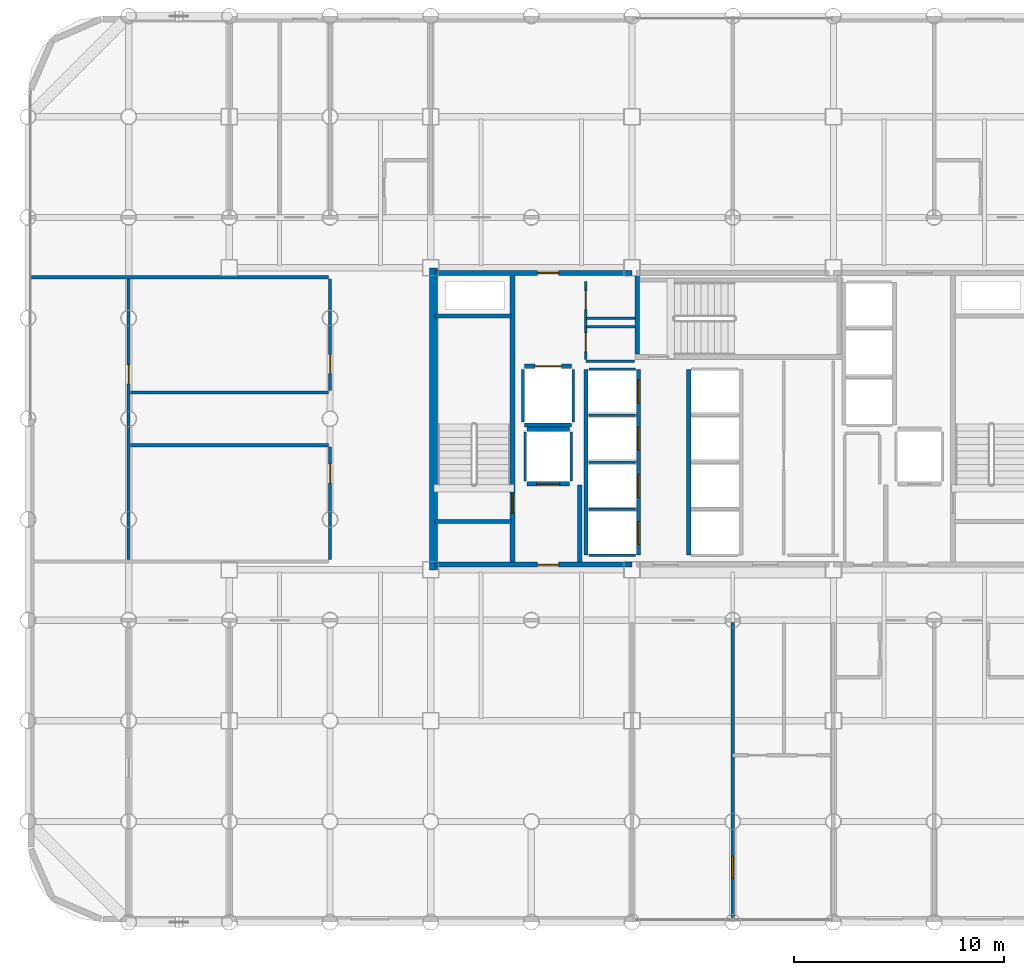
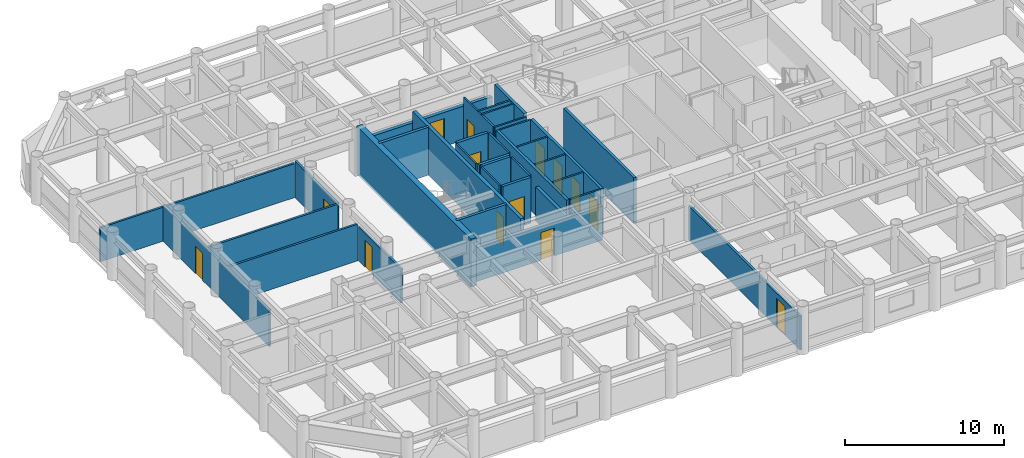
# One storey, part 16 of 21: 35 walls, 15 doors, 15 openings.
"""IFC4 building model written with IfcOpenShell, lengths in metres."""

from ifc_helpers import new_model, si_unit, direction, frame, frame_2d, origin, place, context, subcontext, project, spatial, rectangle, extrude, material, layer, layer_set, type_object, element, fill, save


model = new_model("IFC4")

# Units and contexts
model_context = context("Model", 3, precision=1e-05, world=origin(), true_north=direction((0.0, 1.0)))
body_context = subcontext(model_context, "Body", "Model", "MODEL_VIEW")
ifc_project = project(units=[si_unit("LENGTHUNIT", "METRE"), si_unit("AREAUNIT", "SQUARE_METRE"), si_unit("VOLUMEUNIT", "CUBIC_METRE"), si_unit("PLANEANGLEUNIT", "RADIAN"), si_unit("MASSUNIT", "GRAM", prefix="KILO")], contexts=[model_context])

# Site, building, storey
site_placement = place(None, origin())
site = spatial("IfcSite", under=ifc_project, at=site_placement, CompositionType="ELEMENT")
building_placement = place(site_placement, origin())
building = spatial("IfcBuilding", under=site, at=building_placement, Name="Kallvorn Hotel Tower", CompositionType="ELEMENT")
storey_placement = place(building_placement, frame((0.0, 0.0, 44.800048828125)))
storey = spatial("IfcBuildingStorey", under=building, at=storey_placement, Name="L09", CompositionType="ELEMENT", Elevation=44.800048828125)

# Wall
ifc_material_1 = material(Name="Concrete C50/60", Category="concrete")
ifc_layer_1 = layer(ifc_material_1, 0.39990234375)
ifc_layer_set_1 = layer_set([ifc_layer_1], Name="WL_CORE_400")
wall_type_1 = type_object("IfcWallType", Name="WL_CORE_400", PredefinedType="SHEAR", material=ifc_layer_set_1)
wall_1_placement = place(storey_placement, frame((-14.264892578125, -7.199951171875, -0.179931640625), z_axis=(0.0, 0.0, 1.0), x_axis=(0.0, 1.0, 0.0)))
element("IfcWall", 1, at=wall_1_placement, inside=storey, type_object=wall_type_1, Name="L09 Core West Shear Wall", PredefinedType="SHEAR", context=body_context, shape_type="SweptSolid", body=[
    extrude(rectangle(XDim=14.39990234375, YDim=0.39990234375, at=frame_2d((7.199951171875, 0.0))), origin(), (0.0, 0.0, 1.0), 3.699951171875),
])

# Wall, opening, door
ifc_material_2 = material(Name="Fire-rated double-layer acoustic gypsum drywall EI 60")
ifc_layer_2 = layer(ifc_material_2, 0.159912109375)
ifc_layer_set_2 = layer_set([ifc_layer_2], Name="WL_DEMISE_160")
wall_type_2 = type_object("IfcWallType", Name="WL_DEMISE_160", PredefinedType="PARTITIONING", material=ifc_layer_set_2)
wall_2_placement = place(storey_placement, frame((0.0, -23.794921875, 0.0), z_axis=(0.0, 0.0, 1.0), x_axis=(0.0, 1.0, 0.0)))
wall_2 = element("IfcWall", 2, at=wall_2_placement, inside=storey, type_object=wall_type_2, Name="L09 Suite 903 Executive Bedroom Partition", PredefinedType="PARTITIONING", context=body_context, shape_type="SweptSolid", body=[
    extrude(rectangle(XDim=14.074951171875, YDim=0.159912109375, at=frame_2d((7.03759765625, 0.0))), origin(), (0.0, 0.0, 1.0), 2.619873046875),
])
opening_1_placement = place(wall_2_placement, frame((1.88818359375, 0.0, 0.0)))
opening_1 = element("IfcOpeningElement", 3, at=opening_1_placement, cuts=wall_2, Name="Opening GD2", PredefinedType="OPENING", context=body_context, shape_type="SweptSolid", body=[
    extrude(rectangle(XDim=1.050048828125, YDim=2.199951171875, at=frame_2d((0.52490234375, 1.10009765625))), frame((0.0, 0.094970703125, 0.0), z_axis=(0.0, -1.0, 0.0), x_axis=(1.0, 0.0, 0.0)), (0.0, 0.0, 1.0), 0.18994140625),
])
ifc_material_3 = material(Name="Solid-core walnut veneer fire-rated timber door leaf", Category="wood")
door_type_1 = type_object("IfcDoorType", Name="DR_SUITE_1050x2200", OperationType="NOTDEFINED", PredefinedType="DOOR", material=ifc_material_3)
door_1_placement = place(opening_1_placement, origin())
door_1 = element("IfcDoor", 4, at=door_1_placement, inside=storey, type_object=door_type_1, Name="L09 Suite 903 Executive Bedroom Door", OperationType="SINGLE_SWING_LEFT", OverallHeight=2.199951171875, OverallWidth=1.050048828125, PredefinedType="DOOR", context=body_context, shape_type="SweptSolid", body=[
    extrude(rectangle(XDim=1.050048828125, YDim=2.199951171875, at=frame_2d((0.52490234375, 1.10009765625))), frame((0.0, 0.02490234375, 0.0), z_axis=(0.0, -1.0, 0.0), x_axis=(1.0, 0.0, 0.0)), (0.0, 0.0, 1.0), 0.050048828125),
])
fill(opening_1, door_1)

# Walls
ifc_material_4 = material(Name="Concrete C40/50", Category="concrete")
ifc_layer_3 = layer(ifc_material_4, 0.219970703125)
ifc_layer_set_3 = layer_set([ifc_layer_3], Name="WL_FFL_220")
wall_type_3 = type_object("IfcWallType", Name="WL_FFL_220", PredefinedType="SOLIDWALL", material=ifc_layer_set_3)
wall_3_placement = place(storey_placement, frame((-7.300048828125, -6.820068359375, 0.0), z_axis=(0.0, 0.0, 1.0), x_axis=(0.0, 1.0, 0.0)))
element("IfcWall", 5, at=wall_3_placement, inside=storey, type_object=wall_type_3, Name="L09 Firefighting Lobby West Divider Wall", PredefinedType="SOLIDWALL", context=body_context, shape_type="SweptSolid", body=[
    extrude(rectangle(XDim=3.670166015625, YDim=0.219970703125, at=frame_2d((1.8349609375, 0.0))), origin(), (0.0, 0.0, 1.0), 2.619873046875),
])
ifc_material_5 = material(Name="Concrete C40/50", Category="concrete")
ifc_layer_4 = layer(ifc_material_5, 0.199951171875)
ifc_layer_set_4 = layer_set([ifc_layer_4], Name="WL_HOIST_200")
wall_type_4 = type_object("IfcWallType", Name="WL_HOIST_200", PredefinedType="SOLIDWALL", material=ifc_layer_set_4)
for number, where, z_axis, x_axis, name in (
    (6, (-14.199951171875, -4.89990234375, -0.179931640625), (0.0, 0.0, 1.0), (1.0, 0.0, 0.0), "L09 Stair ST1 South Wall"),
    (7, (-14.199951171875, 4.89990234375, -0.179931640625), (0.0, 0.0, 1.0), (1.0, 0.0, 0.0), "L09 Stair ST1 North Wall"),
):
    element("IfcWall", number, at=place(storey_placement, frame(where, z_axis=z_axis, x_axis=x_axis)), inside=storey, type_object=wall_type_4, Name=name, PredefinedType="SOLIDWALL", context=body_context, shape_type="SweptSolid", body=[
        extrude(rectangle(XDim=3.64990234375, YDim=0.199951171875, at=frame_2d((1.824951171875, 0.0))), origin(), (0.0, 0.0, 1.0), 3.699951171875),
    ])
wall_4_placement = place(storey_placement, frame((-4.550048828125, 3.080078125, -0.179931640625), z_axis=(0.0, 0.0, 1.0), x_axis=(0.0, 1.0, 0.0)))
element("IfcWall", 8, at=wall_4_placement, inside=storey, type_object=wall_type_4, Name="L09 Stair ST3 West Wall", PredefinedType="SOLIDWALL", context=body_context, shape_type="SweptSolid", body=[
    extrude(rectangle(XDim=3.739990234375, YDim=0.199951171875, at=frame_2d((1.8701171875, 0.0))), origin(), (0.0, 0.0, 1.0), 3.699951171875),
])

# Wall, openings, doors
wall_5_placement = place(storey_placement, frame((-4.5, -6.5, 0.0), z_axis=(0.0, 0.0, 1.0), x_axis=(0.0, 1.0, 0.0)))
wall_5 = element("IfcWall", 9, at=wall_5_placement, inside=storey, type_object=wall_type_4, Name="L09 Lift Bank B1 Landing Wall", PredefinedType="SOLIDWALL", context=body_context, shape_type="SweptSolid", body=[
    extrude(rectangle(XDim=8.85009765625, YDim=0.199951171875, at=frame_2d((4.425048828125, 0.0))), origin(), (0.0, 0.0, 1.0), 3.52001953125),
])
opening_2_placement = place(wall_5_placement, frame((0.5, 0.0, 0.0)))
opening_2 = element("IfcOpeningElement", 10, at=opening_2_placement, cuts=wall_5, Name="Opening LD-PL-01", PredefinedType="OPENING", context=body_context, shape_type="SweptSolid", body=[
    extrude(rectangle(XDim=1.10009765625, YDim=2.199951171875, at=frame_2d((0.550048828125, 1.10009765625))), frame((0.0, 0.114990234375, 0.0), z_axis=(0.0, -1.0, 0.0), x_axis=(1.0, 0.0, 0.0)), (0.0, 0.0, 1.0), 0.22998046875),
])
opening_3_placement = place(wall_5_placement, frame((2.75, 0.0, 0.0)))
opening_3 = element("IfcOpeningElement", 11, at=opening_3_placement, cuts=wall_5, Name="Opening LD-PL-02", PredefinedType="OPENING", context=body_context, shape_type="SweptSolid", body=[
    extrude(rectangle(XDim=1.10009765625, YDim=2.199951171875, at=frame_2d((0.550048828125, 1.10009765625))), frame((0.0, 0.114990234375, 0.0), z_axis=(0.0, -1.0, 0.0), x_axis=(1.0, 0.0, 0.0)), (0.0, 0.0, 1.0), 0.22998046875),
])
opening_4_placement = place(wall_5_placement, frame((5.0, 0.0, 0.0)))
opening_4 = element("IfcOpeningElement", 12, at=opening_4_placement, cuts=wall_5, Name="Opening LD-PL-03", PredefinedType="OPENING", context=body_context, shape_type="SweptSolid", body=[
    extrude(rectangle(XDim=1.10009765625, YDim=2.199951171875, at=frame_2d((0.550048828125, 1.10009765625))), frame((0.0, 0.114990234375, 0.0), z_axis=(0.0, -1.0, 0.0), x_axis=(1.0, 0.0, 0.0)), (0.0, 0.0, 1.0), 0.22998046875),
])
opening_5_placement = place(wall_5_placement, frame((7.25, 0.0, 0.0)))
opening_5 = element("IfcOpeningElement", 13, at=opening_5_placement, cuts=wall_5, Name="Opening LD-PL-04", PredefinedType="OPENING", context=body_context, shape_type="SweptSolid", body=[
    extrude(rectangle(XDim=1.10009765625, YDim=2.199951171875, at=frame_2d((0.550048828125, 1.10009765625))), frame((0.0, 0.114990234375, 0.0), z_axis=(0.0, -1.0, 0.0), x_axis=(1.0, 0.0, 0.0)), (0.0, 0.0, 1.0), 0.22998046875),
])
ifc_material_6 = material(Name="Brushed stainless-steel automatic sliding lift landing door", Category="steel")
door_type_2 = type_object("IfcDoorType", Name="LD_PASS_1100x2200", OperationType="SLIDING_TO_LEFT", PredefinedType="DOOR", material=ifc_material_6)
door_2_placement = place(opening_2_placement, origin())
door_2 = element("IfcDoor", 14, at=door_2_placement, inside=storey, type_object=door_type_2, Name="L09 Lift Landing Sliding Door LD-PL-01", OperationType="SLIDING_TO_LEFT", OverallHeight=2.199951171875, OverallWidth=1.10009765625, PredefinedType="DOOR", context=body_context, shape_type="SweptSolid", body=[
    extrude(rectangle(XDim=1.10009765625, YDim=2.199951171875, at=frame_2d((0.550048828125, 1.10009765625))), frame((0.0, 0.02490234375, 0.0), z_axis=(0.0, -1.0, 0.0), x_axis=(1.0, 0.0, 0.0)), (0.0, 0.0, 1.0), 0.050048828125),
])
fill(opening_2, door_2)
door_3_placement = place(opening_3_placement, origin())
door_3 = element("IfcDoor", 15, at=door_3_placement, inside=storey, type_object=door_type_2, Name="L09 Lift Landing Sliding Door LD-PL-02", OperationType="SLIDING_TO_LEFT", OverallHeight=2.199951171875, OverallWidth=1.10009765625, PredefinedType="DOOR", context=body_context, shape_type="SweptSolid", body=[
    extrude(rectangle(XDim=1.10009765625, YDim=2.199951171875, at=frame_2d((0.550048828125, 1.10009765625))), frame((0.0, 0.02490234375, 0.0), z_axis=(0.0, -1.0, 0.0), x_axis=(1.0, 0.0, 0.0)), (0.0, 0.0, 1.0), 0.050048828125),
])
fill(opening_3, door_3)
door_4_placement = place(opening_4_placement, origin())
door_4 = element("IfcDoor", 16, at=door_4_placement, inside=storey, type_object=door_type_2, Name="L09 Lift Landing Sliding Door LD-PL-03", OperationType="SLIDING_TO_LEFT", OverallHeight=2.199951171875, OverallWidth=1.10009765625, PredefinedType="DOOR", context=body_context, shape_type="SweptSolid", body=[
    extrude(rectangle(XDim=1.10009765625, YDim=2.199951171875, at=frame_2d((0.550048828125, 1.10009765625))), frame((0.0, 0.02490234375, 0.0), z_axis=(0.0, -1.0, 0.0), x_axis=(1.0, 0.0, 0.0)), (0.0, 0.0, 1.0), 0.050048828125),
])
fill(opening_4, door_4)
door_5_placement = place(opening_5_placement, origin())
door_5 = element("IfcDoor", 17, at=door_5_placement, inside=storey, type_object=door_type_2, Name="L09 Lift Landing Sliding Door LD-PL-04", OperationType="SLIDING_TO_LEFT", OverallHeight=2.199951171875, OverallWidth=1.10009765625, PredefinedType="DOOR", context=body_context, shape_type="SweptSolid", body=[
    extrude(rectangle(XDim=1.10009765625, YDim=2.199951171875, at=frame_2d((0.550048828125, 1.10009765625))), frame((0.0, 0.02490234375, 0.0), z_axis=(0.0, -1.0, 0.0), x_axis=(1.0, 0.0, 0.0)), (0.0, 0.0, 1.0), 0.050048828125),
])
fill(opening_5, door_5)

# Walls
for number, where, z_axis, x_axis, name in (
    (18, (-7.0, -6.5, 0.0), (0.0, 0.0, 1.0), (0.0, 1.0, 0.0), "L09 Lift Bank B1 Rear Shaft Wall"),
    (19, (-2.10009765625, -6.5, 0.0), (0.0, 0.0, 1.0), (0.0, 1.0, 0.0), "L09 Lift Bank B2 Landing Wall"),
):
    element("IfcWall", number, at=place(storey_placement, frame(where, z_axis=z_axis, x_axis=x_axis)), inside=storey, type_object=wall_type_4, Name=name, PredefinedType="SOLIDWALL", context=body_context, shape_type="SweptSolid", body=[
        extrude(rectangle(XDim=8.85009765625, YDim=0.199951171875, at=frame_2d((4.425048828125, 0.0))), origin(), (0.0, 0.0, 1.0), 3.52001953125),
    ])

# Wall, opening, door
wall_6_placement = place(storey_placement, frame((-9.820068359375, -3.10009765625, 0.0), z_axis=(0.0, 0.0, 1.0), x_axis=(1.0, 0.0, 0.0)))
wall_6 = element("IfcWall", 20, at=wall_6_placement, inside=storey, type_object=wall_type_4, Name="L09 FL-1 Landing Wall", PredefinedType="SOLIDWALL", context=body_context, shape_type="SweptSolid", body=[
    extrude(rectangle(XDim=2.0400390625, YDim=0.199951171875, at=frame_2d((1.02001953125, 0.0))), origin(), (0.0, 0.0, 1.0), 3.52001953125),
])
opening_6_placement = place(wall_6_placement, frame((0.469970703125, 0.0, 0.0)))
opening_6 = element("IfcOpeningElement", 21, at=opening_6_placement, cuts=wall_6, Name="Opening LD-FL-1", PredefinedType="OPENING", context=body_context, shape_type="SweptSolid", body=[
    extrude(rectangle(XDim=1.10009765625, YDim=2.199951171875, at=frame_2d((0.550048828125, 1.10009765625))), frame((0.0, 0.114990234375, 0.0), z_axis=(0.0, -1.0, 0.0), x_axis=(1.0, 0.0, 0.0)), (0.0, 0.0, 1.0), 0.22998046875),
])
door_6_placement = place(opening_6_placement, origin())
door_6 = element("IfcDoor", 22, at=door_6_placement, inside=storey, type_object=door_type_2, Name="L09 Lift Landing Sliding Door LD-FL-1", OperationType="SLIDING_TO_LEFT", OverallHeight=2.199951171875, OverallWidth=1.10009765625, PredefinedType="DOOR", context=body_context, shape_type="SweptSolid", body=[
    extrude(rectangle(XDim=1.10009765625, YDim=2.199951171875, at=frame_2d((0.550048828125, 1.10009765625))), frame((0.0, 0.02490234375, 0.0), z_axis=(0.0, -1.0, 0.0), x_axis=(1.0, 0.0, 0.0)), (0.0, 0.0, 1.0), 0.050048828125),
])
fill(opening_6, door_6)

# Wall
wall_7_placement = place(storey_placement, frame((-9.820068359375, -0.5, 0.0), z_axis=(0.0, 0.0, 1.0), x_axis=(1.0, 0.0, 0.0)))
element("IfcWall", 23, at=wall_7_placement, inside=storey, type_object=wall_type_4, Name="L09 FL-1 Rear Shaft Wall", PredefinedType="SOLIDWALL", context=body_context, shape_type="SweptSolid", body=[
    extrude(rectangle(XDim=2.0400390625, YDim=0.199951171875, at=frame_2d((1.02001953125, 0.0))), origin(), (0.0, 0.0, 1.0), 3.52001953125),
])

# Wall, opening, door
wall_8_placement = place(storey_placement, frame((-9.919921875, 2.5, 0.0), z_axis=(0.0, 0.0, 1.0), x_axis=(1.0, 0.0, 0.0)))
wall_8 = element("IfcWall", 24, at=wall_8_placement, inside=storey, type_object=wall_type_4, Name="L09 SV-01 Landing Wall", PredefinedType="SOLIDWALL", context=body_context, shape_type="SweptSolid", body=[
    extrude(rectangle(XDim=2.239990234375, YDim=0.199951171875, at=frame_2d((1.1201171875, 0.0))), origin(), (0.0, 0.0, 1.0), 3.52001953125),
])
opening_7_placement = place(wall_8_placement, frame((0.4951171875, 0.0, 0.0)))
opening_7 = element("IfcOpeningElement", 25, at=opening_7_placement, cuts=wall_8, Name="Opening LD-SV-01", PredefinedType="OPENING", context=body_context, shape_type="SweptSolid", body=[
    extrude(rectangle(XDim=1.25, YDim=2.25, at=frame_2d((0.625, 1.125))), frame((0.0, 0.114990234375, 0.0), z_axis=(0.0, -1.0, 0.0), x_axis=(1.0, 0.0, 0.0)), (0.0, 0.0, 1.0), 0.22998046875),
])
ifc_material_7 = material(Name="Brushed stainless-steel automatic sliding lift landing door", Category="steel")
door_type_3 = type_object("IfcDoorType", Name="LD_SERV_1250x2250", OperationType="SLIDING_TO_LEFT", PredefinedType="DOOR", material=ifc_material_7)
door_7_placement = place(opening_7_placement, origin())
door_7 = element("IfcDoor", 26, at=door_7_placement, inside=storey, type_object=door_type_3, Name="L09 Lift Landing Sliding Door LD-SV-01", OperationType="SLIDING_TO_LEFT", OverallHeight=2.25, OverallWidth=1.25, PredefinedType="DOOR", context=body_context, shape_type="SweptSolid", body=[
    extrude(rectangle(XDim=1.25, YDim=2.25, at=frame_2d((0.625, 1.125))), frame((0.0, 0.02490234375, 0.0), z_axis=(0.0, -1.0, 0.0), x_axis=(1.0, 0.0, 0.0)), (0.0, 0.0, 1.0), 0.050048828125),
])
fill(opening_7, door_7)

# Walls
wall_9_placement = place(storey_placement, frame((-9.919921875, -0.300048828125, 0.0), z_axis=(0.0, 0.0, 1.0), x_axis=(1.0, 0.0, 0.0)))
element("IfcWall", 27, at=wall_9_placement, inside=storey, type_object=wall_type_4, Name="L09 SV-01 Rear Shaft Wall", PredefinedType="SOLIDWALL", context=body_context, shape_type="SweptSolid", body=[
    extrude(rectangle(XDim=2.239990234375, YDim=0.199951171875, at=frame_2d((1.1201171875, 0.0))), origin(), (0.0, 0.0, 1.0), 3.52001953125),
])
ifc_material_8 = material(Name="Fire-rated double-layer acoustic gypsum drywall EI 60")
ifc_layer_5 = layer(ifc_material_8, 0.1201171875)
ifc_layer_set_5 = layer_set([ifc_layer_5], Name="WL_INT_120")
wall_type_5 = type_object("IfcWallType", Name="WL_INT_120", PredefinedType="PARTITIONING", material=ifc_layer_set_5)
for number, where, z_axis, x_axis, name in (
    (28, (-6.860107421875, -6.5, 0.0), (0.0, 0.0, 1.0), (1.0, 0.0, 0.0), "L09 Lift Bank B1 South Closure Wall"),
    (29, (-6.860107421875, -4.324951171875, 0.0), (0.0, 0.0, 1.0), (1.0, 0.0, 0.0), "L09 PL-01 Hoistway Divider"),
    (30, (-6.860107421875, -2.074951171875, 0.0), (0.0, 0.0, 1.0), (1.0, 0.0, 0.0), "L09 PL-02 Hoistway Divider"),
    (31, (-6.860107421875, 0.175048828125, 0.0), (0.0, 0.0, 1.0), (1.0, 0.0, 0.0), "L09 PL-03 Hoistway Divider"),
    (32, (-6.860107421875, 2.35009765625, 0.0), (0.0, 0.0, 1.0), (1.0, 0.0, 0.0), "L09 PL-04 Hoistway Divider"),
):
    element("IfcWall", number, at=place(storey_placement, frame(where, z_axis=z_axis, x_axis=x_axis)), inside=storey, type_object=wall_type_5, Name=name, PredefinedType="PARTITIONING", context=body_context, shape_type="SweptSolid", body=[
        extrude(rectangle(XDim=2.22021484375, YDim=0.1201171875, at=frame_2d((1.110107421875, 0.0))), origin(), (0.0, 0.0, 1.0), 3.52001953125),
    ])
for number, where, z_axis, x_axis, name in (
    (33, (-9.89990234375, -2.9599609375, 0.0), (0.0, 0.0, 1.0), (0.0, 1.0, 0.0), "L09 FL-1 West Shaft Wall"),
    (34, (-7.699951171875, -2.9599609375, 0.0), (0.0, 0.0, 1.0), (0.0, 1.0, 0.0), "L09 FL-1 East Shaft Wall"),
):
    element("IfcWall", number, at=place(storey_placement, frame(where, z_axis=z_axis, x_axis=x_axis)), inside=storey, type_object=wall_type_5, Name=name, PredefinedType="PARTITIONING", context=body_context, shape_type="SweptSolid", body=[
        extrude(rectangle(XDim=2.320068359375, YDim=0.1201171875, at=frame_2d((1.16015625, 0.0))), origin(), (0.0, 0.0, 1.0), 3.52001953125),
    ])
for number, where, z_axis, x_axis, name in (
    (35, (-10.0, -0.159912109375, 0.0), (0.0, 0.0, 1.0), (0.0, 1.0, 0.0), "L09 SV-01 West Shaft Wall"),
    (36, (-7.60009765625, -0.159912109375, 0.0), (0.0, 0.0, 1.0), (0.0, 1.0, 0.0), "L09 SV-01 East Shaft Wall"),
):
    element("IfcWall", number, at=place(storey_placement, frame(where, z_axis=z_axis, x_axis=x_axis)), inside=storey, type_object=wall_type_5, Name=name, PredefinedType="PARTITIONING", context=body_context, shape_type="SweptSolid", body=[
        extrude(rectangle(XDim=2.52001953125, YDim=0.1201171875, at=frame_2d((1.260009765625, 0.0))), origin(), (0.0, 0.0, 1.0), 3.52001953125),
    ])
wall_10_placement = place(storey_placement, frame((-7.0, 2.75, 0.0), z_axis=(0.0, 0.0, 1.0), x_axis=(1.0, 0.0, 0.0)))
element("IfcWall", 37, at=wall_10_placement, inside=storey, type_object=wall_type_5, Name="L09 Core Ice and Vending Pantry Partition", PredefinedType="PARTITIONING", context=body_context, shape_type="SweptSolid", body=[
    extrude(rectangle(XDim=2.31005859375, YDim=0.1201171875, at=frame_2d((1.155029296875, 0.0))), origin(), (0.0, 0.0, 1.0), 3.52001953125),
])
for number, where, z_axis, x_axis, name in (
    (38, (-7.0, 4.38330078125, 0.0), (0.0, 0.0, 1.0), (1.0, 0.0, 0.0), "L09 Core Ice and Vending Pantry Partition"),
    (39, (-7.0, 4.800048828125, 0.0), (0.0, 0.0, 1.0), (1.0, 0.0, 0.0), "L09 Core Linen Supply Closet Partition"),
):
    element("IfcWall", number, at=place(storey_placement, frame(where, z_axis=z_axis, x_axis=x_axis)), inside=storey, type_object=wall_type_5, Name=name, PredefinedType="PARTITIONING", context=body_context, shape_type="SweptSolid", body=[
        extrude(rectangle(XDim=2.35009765625, YDim=0.1201171875, at=frame_2d((1.175048828125, 0.0))), origin(), (0.0, 0.0, 1.0), 3.52001953125),
    ])

# Wall, openings, doors
wall_11_placement = place(storey_placement, frame((-7.0, 2.8349609375, 0.0), z_axis=(0.0, 0.0, 1.0), x_axis=(0.0, 1.0, 0.0)))
wall_11 = element("IfcWall", 40, at=wall_11_placement, inside=storey, type_object=wall_type_5, Name="L09 Core Ice and Vending Pantry Partition", PredefinedType="PARTITIONING", context=body_context, shape_type="SweptSolid", body=[
    extrude(rectangle(XDim=3.715087890625, YDim=0.1201171875, at=frame_2d((1.857421875, 0.0))), origin(), (0.0, 0.0, 1.0), 3.52001953125),
])
opening_8_placement = place(wall_11_placement, frame((0.364990234375, 0.0, 0.0)))
opening_8 = element("IfcOpeningElement", 41, at=opening_8_placement, cuts=wall_11, Name="Opening SVD1", PredefinedType="OPENING", context=body_context, shape_type="SweptSolid", body=[
    extrude(rectangle(XDim=0.89990234375, YDim=2.10009765625, at=frame_2d((0.449951171875, 1.050048828125))), frame((0.0, 0.074951171875, 0.0), z_axis=(0.0, -1.0, 0.0), x_axis=(1.0, 0.0, 0.0)), (0.0, 0.0, 1.0), 0.150146484375),
])
opening_9_placement = place(wall_11_placement, frame((2.364990234375, 0.0, 0.0)))
opening_9 = element("IfcOpeningElement", 42, at=opening_9_placement, cuts=wall_11, Name="Opening SVD1", PredefinedType="OPENING", context=body_context, shape_type="SweptSolid", body=[
    extrude(rectangle(XDim=0.89990234375, YDim=2.10009765625, at=frame_2d((0.449951171875, 1.050048828125))), frame((0.0, 0.074951171875, 0.0), z_axis=(0.0, -1.0, 0.0), x_axis=(1.0, 0.0, 0.0)), (0.0, 0.0, 1.0), 0.150146484375),
])
ifc_material_9 = material(Name="Galvanised painted steel fire-rated door assembly", Category="steel")
door_type_4 = type_object("IfcDoorType", Name="DR_SERV_900x2100", OperationType="NOTDEFINED", PredefinedType="DOOR", material=ifc_material_9)
door_8_placement = place(opening_8_placement, origin())
door_8 = element("IfcDoor", 43, at=door_8_placement, inside=storey, type_object=door_type_4, Name="L09 Core Ice and Vending Pantry Door", OperationType="SINGLE_SWING_RIGHT", OverallHeight=2.10009765625, OverallWidth=0.89990234375, PredefinedType="DOOR", context=body_context, shape_type="SweptSolid", body=[
    extrude(rectangle(XDim=0.89990234375, YDim=2.10009765625, at=frame_2d((0.449951171875, 1.050048828125))), frame((0.0, 0.02490234375, 0.0), z_axis=(0.0, -1.0, 0.0), x_axis=(1.0, 0.0, 0.0)), (0.0, 0.0, 1.0), 0.050048828125),
])
fill(opening_8, door_8)
door_9_placement = place(opening_9_placement, origin())
door_9 = element("IfcDoor", 44, at=door_9_placement, inside=storey, type_object=door_type_4, Name="L09 Core Linen Supply Closet Door", OperationType="SINGLE_SWING_RIGHT", OverallHeight=2.10009765625, OverallWidth=0.89990234375, PredefinedType="DOOR", context=body_context, shape_type="SweptSolid", body=[
    extrude(rectangle(XDim=0.89990234375, YDim=2.10009765625, at=frame_2d((0.449951171875, 1.050048828125))), frame((0.0, 0.02490234375, 0.0), z_axis=(0.0, -1.0, 0.0), x_axis=(1.0, 0.0, 0.0)), (0.0, 0.0, 1.0), 0.050048828125),
])
fill(opening_9, door_9)

# Walls
ifc_material_10 = material(Name="Fire-rated double-layer acoustic gypsum drywall EI 60")
ifc_layer_6 = layer(ifc_material_10, 0.14990234375)
ifc_layer_set_6 = layer_set([ifc_layer_6], Name="WL_PART_150")
wall_type_6 = type_object("IfcWallType", Name="WL_PART_150", PredefinedType="PARTITIONING", material=ifc_layer_set_6)
for number, where, z_axis, x_axis, name in (
    (45, (-28.719970703125, -1.260009765625, 0.0), (0.0, 0.0, 1.0), (1.0, 0.0, 0.0), "L09 L09 West Inner Club Bar Partition"),
    (46, (-28.719970703125, 1.260009765625, 0.0), (0.0, 0.0, 1.0), (1.0, 0.0, 0.0), "L09 L09 West Inner Reading Salon Partition"),
):
    element("IfcWall", number, at=place(storey_placement, frame(where, z_axis=z_axis, x_axis=x_axis)), inside=storey, type_object=wall_type_6, Name=name, PredefinedType="PARTITIONING", context=body_context, shape_type="SweptSolid", body=[
        extrude(rectangle(XDim=9.43994140625, YDim=0.14990234375, at=frame_2d((4.719970703125, 0.0))), origin(), (0.0, 0.0, 1.0), 2.820068359375),
    ])
wall_12_placement = place(storey_placement, frame((-33.429931640625, 6.75, 0.0), z_axis=(0.0, 0.0, 1.0), x_axis=(1.0, 0.0, 0.0)))
element("IfcWall", 47, at=wall_12_placement, inside=storey, type_object=wall_type_6, Name="L09 L09 W Cordillera Panorama Dining Salon Partition", PredefinedType="PARTITIONING", context=body_context, shape_type="SweptSolid", body=[
    extrude(rectangle(XDim=14.14990234375, YDim=0.14990234375, at=frame_2d((7.074951171875, 0.0))), origin(), (0.0, 0.0, 1.0), 2.619873046875),
])

# Wall, opening, door
wall_13_placement = place(storey_placement, frame((-28.800048828125, -6.715087890625, 0.0), z_axis=(0.0, 0.0, 1.0), x_axis=(0.0, 1.0, 0.0)))
wall_13 = element("IfcWall", 48, at=wall_13_placement, inside=storey, type_object=wall_type_6, Name="L09 L09 West Inner Club Bar Partition", PredefinedType="PARTITIONING", context=body_context, shape_type="SweptSolid", body=[
    extrude(rectangle(XDim=13.380126953125, YDim=0.14990234375, at=frame_2d((6.68994140625, 0.0))), origin(), (0.0, 0.0, 1.0), 2.820068359375),
])
opening_10_placement = place(wall_13_placement, frame((8.37939453125, 0.0, 0.0)))
opening_10 = element("IfcOpeningElement", 49, at=opening_10_placement, cuts=wall_13, Name="Opening SVD1", PredefinedType="OPENING", context=body_context, shape_type="SweptSolid", body=[
    extrude(rectangle(XDim=0.89990234375, YDim=2.10009765625, at=frame_2d((0.449951171875, 1.050048828125))), frame((0.0, 0.08984375, 0.0), z_axis=(0.0, -1.0, 0.0), x_axis=(1.0, 0.0, 0.0)), (0.0, 0.0, 1.0), 0.179931640625),
])
door_10_placement = place(opening_10_placement, origin())
door_10 = element("IfcDoor", 50, at=door_10_placement, inside=storey, type_object=door_type_4, Name="L09 L09 W Cordillera Panorama Dining Salon Door", OperationType="SINGLE_SWING_RIGHT", OverallHeight=2.10009765625, OverallWidth=0.89990234375, PredefinedType="DOOR", context=body_context, shape_type="SweptSolid", body=[
    extrude(rectangle(XDim=0.89990234375, YDim=2.10009765625, at=frame_2d((0.449951171875, 1.050048828125))), frame((0.0, 0.02490234375, 0.0), z_axis=(0.0, -1.0, 0.0), x_axis=(1.0, 0.0, 0.0)), (0.0, 0.0, 1.0), 0.050048828125),
])
fill(opening_10, door_10)

wall_14_placement = place(storey_placement, frame((-19.199951171875, -6.715087890625, 0.0), z_axis=(0.0, 0.0, 1.0), x_axis=(0.0, 1.0, 0.0)))
wall_14 = element("IfcWall", 51, at=wall_14_placement, inside=storey, type_object=wall_type_6, Name="L09 L09 West Inner Club Bar Partition", PredefinedType="PARTITIONING", context=body_context, shape_type="SweptSolid", body=[
    extrude(rectangle(XDim=5.3701171875, YDim=0.14990234375, at=frame_2d((2.68505859375, 0.0))), origin(), (0.0, 0.0, 1.0), 2.619873046875),
])
opening_11_placement = place(wall_14_placement, frame((3.66015625, 0.0, 0.0)))
opening_11 = element("IfcOpeningElement", 52, at=opening_11_placement, cuts=wall_14, Name="Opening SVD1", PredefinedType="OPENING", context=body_context, shape_type="SweptSolid", body=[
    extrude(rectangle(XDim=0.89990234375, YDim=2.10009765625, at=frame_2d((0.449951171875, 1.050048828125))), frame((0.0, 0.08984375, 0.0), z_axis=(0.0, -1.0, 0.0), x_axis=(1.0, 0.0, 0.0)), (0.0, 0.0, 1.0), 0.179931640625),
])
door_11_placement = place(opening_11_placement, origin())
door_11 = element("IfcDoor", 53, at=door_11_placement, inside=storey, type_object=door_type_4, Name="L09 L09 West Inner Club Bar Door", OperationType="SINGLE_SWING_RIGHT", OverallHeight=2.10009765625, OverallWidth=0.89990234375, PredefinedType="DOOR", context=body_context, shape_type="SweptSolid", body=[
    extrude(rectangle(XDim=0.89990234375, YDim=2.10009765625, at=frame_2d((0.449951171875, 1.050048828125))), frame((0.0, 0.02490234375, 0.0), z_axis=(0.0, -1.0, 0.0), x_axis=(1.0, 0.0, 0.0)), (0.0, 0.0, 1.0), 0.050048828125),
])
fill(opening_11, door_11)

wall_15_placement = place(storey_placement, frame((-19.199951171875, 1.344970703125, 0.0), z_axis=(0.0, 0.0, 1.0), x_axis=(0.0, 1.0, 0.0)))
wall_15 = element("IfcWall", 54, at=wall_15_placement, inside=storey, type_object=wall_type_6, Name="L09 L09 West Inner Reading Salon Partition", PredefinedType="PARTITIONING", context=body_context, shape_type="SweptSolid", body=[
    extrude(rectangle(XDim=5.320068359375, YDim=0.14990234375, at=frame_2d((2.66015625, 0.0))), origin(), (0.0, 0.0, 1.0), 2.820068359375),
])
opening_12_placement = place(wall_15_placement, frame((0.81689453125, 0.0, 0.0)))
opening_12 = element("IfcOpeningElement", 55, at=opening_12_placement, cuts=wall_15, Name="Opening SVD1", PredefinedType="OPENING", context=body_context, shape_type="SweptSolid", body=[
    extrude(rectangle(XDim=0.89990234375, YDim=2.10009765625, at=frame_2d((0.449951171875, 1.050048828125))), frame((0.0, 0.08984375, 0.0), z_axis=(0.0, -1.0, 0.0), x_axis=(1.0, 0.0, 0.0)), (0.0, 0.0, 1.0), 0.179931640625),
])
door_12_placement = place(opening_12_placement, origin())
door_12 = element("IfcDoor", 56, at=door_12_placement, inside=storey, type_object=door_type_4, Name="L09 L09 West Inner Reading Salon Door", OperationType="SINGLE_SWING_LEFT", OverallHeight=2.10009765625, OverallWidth=0.89990234375, PredefinedType="DOOR", context=body_context, shape_type="SweptSolid", body=[
    extrude(rectangle(XDim=0.89990234375, YDim=2.10009765625, at=frame_2d((0.449951171875, 1.050048828125))), frame((0.0, 0.02490234375, 0.0), z_axis=(0.0, -1.0, 0.0), x_axis=(1.0, 0.0, 0.0)), (0.0, 0.0, 1.0), 0.050048828125),
])
fill(opening_12, door_12)

ifc_material_11 = material(Name="Concrete C40/50", Category="concrete")
ifc_layer_7 = layer(ifc_material_11, 0.25)
ifc_layer_set_7 = layer_set([ifc_layer_7], Name="WL_SHAFT_250")
wall_type_7 = type_object("IfcWallType", Name="WL_SHAFT_250", PredefinedType="SOLIDWALL", material=ifc_layer_set_7)
wall_16_placement = place(storey_placement, frame((-14.199951171875, -6.949951171875, 0.0), z_axis=(0.0, 0.0, 1.0), x_axis=(1.0, 0.0, 0.0)))
wall_16 = element("IfcWall", 57, at=wall_16_placement, inside=storey, type_object=wall_type_7, Name="L09 Core South-West Wall", PredefinedType="SOLIDWALL", context=body_context, shape_type="SweptSolid", body=[
    extrude(rectangle(XDim=9.39990234375, YDim=0.25, at=frame_2d((4.699951171875, 0.0))), origin(), (0.0, 0.0, 1.0), 2.619873046875),
])
opening_13_placement = place(wall_16_placement, frame((4.89990234375, 0.0, 0.0)))
opening_13 = element("IfcOpeningElement", 58, at=opening_13_placement, cuts=wall_16, Name="Opening FD1", PredefinedType="OPENING", context=body_context, shape_type="SweptSolid", body=[
    extrude(rectangle(XDim=1.0, YDim=2.14990234375, at=frame_2d((0.5, 1.074951171875))), frame((0.0, 0.139892578125, 0.0), z_axis=(0.0, -1.0, 0.0), x_axis=(1.0, 0.0, 0.0)), (0.0, 0.0, 1.0), 0.280029296875),
])
ifc_material_12 = material(Name="Galvanised painted steel fire-rated door assembly", Category="steel")
door_type_5 = type_object("IfcDoorType", Name="DR_FFL_1000x2150", OperationType="NOTDEFINED", PredefinedType="DOOR", material=ifc_material_12)
door_13_placement = place(opening_13_placement, origin())
door_13 = element("IfcDoor", 59, at=door_13_placement, inside=storey, type_object=door_type_5, Name="L09 Firefighting Lobby West Door", OperationType="SINGLE_SWING_RIGHT", OverallHeight=2.14990234375, OverallWidth=1.0, PredefinedType="DOOR", context=body_context, shape_type="SweptSolid", body=[
    extrude(rectangle(XDim=1.0, YDim=2.14990234375, at=frame_2d((0.5, 1.074951171875))), frame((0.0, 0.02490234375, 0.0), z_axis=(0.0, -1.0, 0.0), x_axis=(1.0, 0.0, 0.0)), (0.0, 0.0, 1.0), 0.050048828125),
])
fill(opening_13, door_13)

wall_17_placement = place(storey_placement, frame((-14.199951171875, 6.949951171875, 0.0), z_axis=(0.0, 0.0, 1.0), x_axis=(1.0, 0.0, 0.0)))
wall_17 = element("IfcWall", 60, at=wall_17_placement, inside=storey, type_object=wall_type_7, Name="L09 Core North-West Wall", PredefinedType="SOLIDWALL", context=body_context, shape_type="SweptSolid", body=[
    extrude(rectangle(XDim=9.39990234375, YDim=0.25, at=frame_2d((4.699951171875, 0.0))), origin(), (0.0, 0.0, 1.0), 2.619873046875),
])
opening_14_placement = place(wall_17_placement, frame((4.89990234375, 0.0, 0.0)))
opening_14 = element("IfcOpeningElement", 61, at=opening_14_placement, cuts=wall_17, Name="Opening FD1", PredefinedType="OPENING", context=body_context, shape_type="SweptSolid", body=[
    extrude(rectangle(XDim=1.0, YDim=2.14990234375, at=frame_2d((0.5, 1.074951171875))), frame((0.0, 0.139892578125, 0.0), z_axis=(0.0, -1.0, 0.0), x_axis=(1.0, 0.0, 0.0)), (0.0, 0.0, 1.0), 0.280029296875),
])
door_14_placement = place(opening_14_placement, origin())
door_14 = element("IfcDoor", 62, at=door_14_placement, inside=storey, type_object=door_type_5, Name="L09 Service Lift Lobby Door", OperationType="SINGLE_SWING_RIGHT", OverallHeight=2.14990234375, OverallWidth=1.0, PredefinedType="DOOR", context=body_context, shape_type="SweptSolid", body=[
    extrude(rectangle(XDim=1.0, YDim=2.14990234375, at=frame_2d((0.5, 1.074951171875))), frame((0.0, 0.02490234375, 0.0), z_axis=(0.0, -1.0, 0.0), x_axis=(1.0, 0.0, 0.0)), (0.0, 0.0, 1.0), 0.050048828125),
])
fill(opening_14, door_14)

wall_18_placement = place(storey_placement, frame((-10.5, -6.820068359375, -0.179931640625), z_axis=(0.0, 0.0, 1.0), x_axis=(0.0, 1.0, 0.0)))
wall_18 = element("IfcWall", 63, at=wall_18_placement, inside=storey, type_object=wall_type_7, Name="L09 Stair ST1 Shaft Wall", PredefinedType="SOLIDWALL", context=body_context, shape_type="SweptSolid", body=[
    extrude(rectangle(XDim=13.64013671875, YDim=0.25, at=frame_2d((6.820068359375, 0.0))), origin(), (0.0, 0.0, 1.0), 3.699951171875),
])
opening_15_placement = place(wall_18_placement, frame((2.320068359375, 0.0, 0.179931640625)))
opening_15 = element("IfcOpeningElement", 64, at=opening_15_placement, cuts=wall_18, Name="Opening SD1", PredefinedType="OPENING", context=body_context, shape_type="SweptSolid", body=[
    extrude(rectangle(XDim=0.949951171875, YDim=2.14990234375, at=frame_2d((0.47509765625, 1.074951171875))), frame((0.0, 0.139892578125, 0.0), z_axis=(0.0, -1.0, 0.0), x_axis=(1.0, 0.0, 0.0)), (0.0, 0.0, 1.0), 0.280029296875),
])
ifc_material_13 = material(Name="Galvanised painted steel fire-rated door assembly", Category="steel")
door_type_6 = type_object("IfcDoorType", Name="DR_STAIR_950x2150", OperationType="NOTDEFINED", PredefinedType="DOOR", material=ifc_material_13)
door_15_placement = place(opening_15_placement, origin())
door_15 = element("IfcDoor", 65, at=door_15_placement, inside=storey, type_object=door_type_6, Name="L09 Exit Stair ST1 Fire Door", OperationType="SINGLE_SWING_LEFT", OverallHeight=2.14990234375, OverallWidth=0.949951171875, PredefinedType="DOOR", context=body_context, shape_type="SweptSolid", body=[
    extrude(rectangle(XDim=0.949951171875, YDim=2.14990234375, at=frame_2d((0.47509765625, 1.074951171875))), frame((0.0, 0.02490234375, 0.0), z_axis=(0.0, -1.0, 0.0), x_axis=(1.0, 0.0, 0.0)), (0.0, 0.0, 1.0), 0.050048828125),
])
fill(opening_15, door_15)

save(model, "model.ifc")
